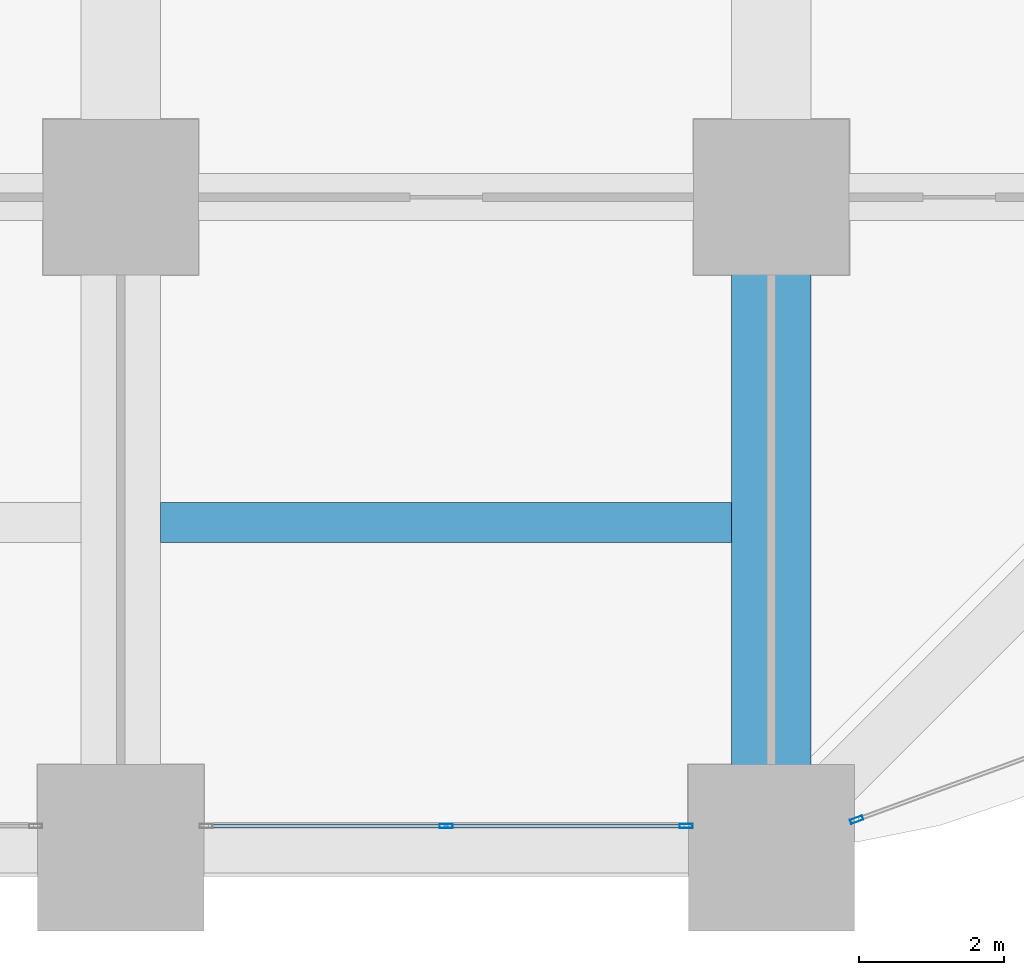
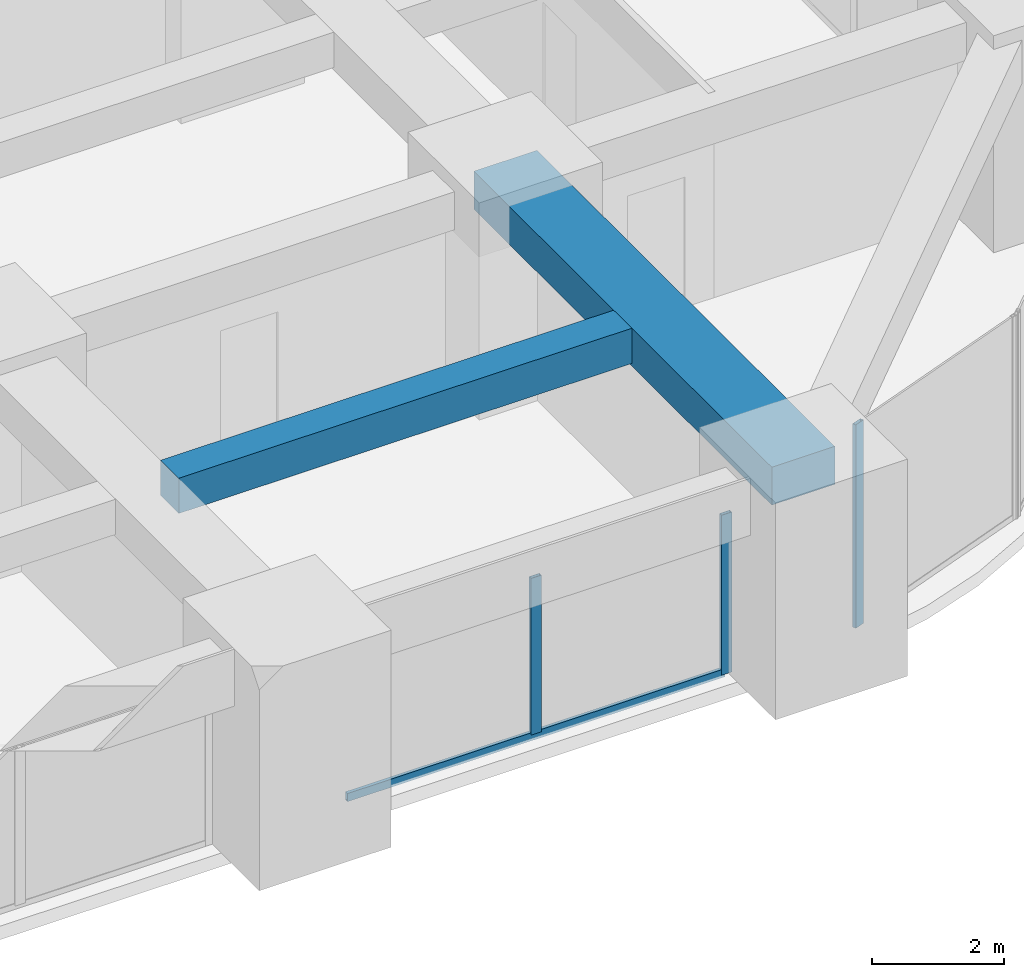
# One storey, part 15 of 44: 4 members, 2 beams, 2 elements without a shape of their own.
"""IFC4 building model written with IfcOpenShell, lengths in metres."""

from ifc_helpers import new_model, si_unit, direction, frame, origin, origin_2d, place, context, subcontext, project, spatial, rectangle, hollow_rectangle, extrude, material, material_profile, profile_set, type_object, element, aggregate, save


model = new_model("IFC4")

# Units and contexts
model_context = context("Model", 3, precision=1e-05, world=origin(), true_north=direction((0.0, 1.0)))
body_context = subcontext(model_context, "Body", "Model", "MODEL_VIEW")
ifc_project = project(units=[si_unit("LENGTHUNIT", "METRE"), si_unit("AREAUNIT", "SQUARE_METRE"), si_unit("VOLUMEUNIT", "CUBIC_METRE"), si_unit("PLANEANGLEUNIT", "RADIAN"), si_unit("MASSUNIT", "GRAM", prefix="KILO")], contexts=[model_context])

# Site, building, storey
site_placement = place(None, origin())
site = spatial("IfcSite", under=ifc_project, at=site_placement, CompositionType="ELEMENT")
building_placement = place(site_placement, origin())
building = spatial("IfcBuilding", under=site, at=building_placement, Name="Zorevar Civic Tower", CompositionType="ELEMENT")
storey_placement = place(building_placement, frame((0.0, 0.0, 51.800048828125)))
storey = spatial("IfcBuildingStorey", under=building, at=storey_placement, Name="L12", CompositionType="ELEMENT", Elevation=51.800048828125)

# Beams
ifc_material_1 = material(Name="Concrete C50/60", Category="concrete")
ifc_material_profile_1 = material_profile(ifc_material_1, rectangle(XDim=1.10009765625, YDim=0.699951171875, at=origin_2d()), Name="RC 1100x700")
ifc_profile_set_1 = profile_set([ifc_material_profile_1], Name="Concrete C50/60")
beam_type_1 = type_object("IfcBeamType", Name="Beam RC 1100x700", PredefinedType="BEAM", material=ifc_profile_set_1)
beam_1_placement = place(storey_placement, frame((54.0, 0.0, 3.39990234375), z_axis=(0.0, 1.0, 0.0), x_axis=(-1.0, 0.0, 0.0)))
element("IfcBeam", 1, at=beam_1_placement, inside=storey, type_object=beam_type_1, Name="Girder L13", PredefinedType="BEAM", context=body_context, shape_type="SweptSolid", body=[
    extrude(rectangle(XDim=1.10009765625, YDim=0.699951171875, at=origin_2d()), origin(), (0.0, 0.0, 1.0), 9.0),
])
ifc_material_2 = material(Name="Concrete C50/60", Category="concrete")
ifc_material_profile_2 = material_profile(ifc_material_2, rectangle(XDim=0.550048828125, YDim=0.64990234375, at=origin_2d()), Name="RC 550x650")
ifc_profile_set_2 = profile_set([ifc_material_profile_2], Name="Concrete C50/60")
beam_type_2 = type_object("IfcBeamType", Name="Beam RC 550x650", PredefinedType="BEAM", material=ifc_profile_set_2)
beam_2_placement = place(storey_placement, frame((45.550048828125, 4.5, 3.425048828125), z_axis=(1.0, 0.0, 0.0), x_axis=(0.0, 1.0, 0.0)))
element("IfcBeam", 2, at=beam_2_placement, inside=storey, type_object=beam_type_2, Name="Secondary beam L13", PredefinedType="BEAM", context=body_context, shape_type="SweptSolid", body=[
    extrude(rectangle(XDim=0.550048828125, YDim=0.64990234375, at=origin_2d()), origin(), (0.0, 0.0, 1.0), 7.89990234375),
])

# Curtain wall, members
ifc_material_3 = material(Name="Dark grey solar-control glass in black aluminium frame", Category="aluminium")
curtain_wall_type = type_object("IfcCurtainWallType", Name="Curtain wall CW2 low zone", PredefinedType="NOTDEFINED", material=ifc_material_3)
curtain_wall_1_placement = place(storey_placement, origin())
curtain_wall_1 = element("IfcCurtainWall", 3, at=curtain_wall_1_placement, inside=storey, type_object=curtain_wall_type, Name="CW2 L12", PredefinedType="NOTDEFINED")
ifc_material_4 = material(Name="Aluminium, black anodised", Category="aluminium")
ifc_material_profile_3 = material_profile(ifc_material_4, hollow_rectangle(XDim=0.06005859375, YDim=0.179931640625, WallThickness=0.00390625, at=origin_2d()), Name="AL 180x60x4")
ifc_profile_set_3 = profile_set([ifc_material_profile_3], Name="Aluminium, black anodised")
member_type_1 = type_object("IfcMemberType", Name="CW2 mullion AL 180x60x4", PredefinedType="MULLION", material=ifc_profile_set_3)
member_1_placement = place(storey_placement, frame((49.5, 0.300048828125, 0.06005859375), z_axis=(0.0, 0.0, 1.0), x_axis=(0.0, 1.0, 0.0)))
member_1 = element("IfcMember", 4, at=member_1_placement, type_object=member_type_1, Name="CW2 mullion 2", PredefinedType="MULLION", context=body_context, shape_type="SweptSolid", body=[
    extrude(hollow_rectangle(XDim=0.06005859375, YDim=0.179931640625, WallThickness=0.00390625, at=origin_2d()), origin(), (0.0, 0.0, 1.0), 2.889892578125),
])
member_2_placement = place(storey_placement, frame((52.820068359375, 0.300048828125, 0.0), z_axis=(0.0, 0.0, 1.0), x_axis=(0.0, 1.0, 0.0)))
member_2 = element("IfcMember", 5, at=member_2_placement, type_object=member_type_1, Name="CW2 mullion 3", PredefinedType="MULLION", context=body_context, shape_type="SweptSolid", body=[
    extrude(hollow_rectangle(XDim=0.06005859375, YDim=0.179931640625, WallThickness=0.00390625, at=origin_2d()), origin(), (0.0, 0.0, 1.0), 2.949951171875),
])

# Curtain wall, member
curtain_wall_2_placement = place(storey_placement, origin())
curtain_wall_2 = element("IfcCurtainWall", 6, at=curtain_wall_2_placement, inside=storey, type_object=curtain_wall_type, Name="CW2 L12", PredefinedType="NOTDEFINED")
member_3_placement = place(storey_placement, frame((55.17822265625, 0.38671875, 0.0), z_axis=(0.0, 0.0, 1.0), x_axis=(-0.343060400701, 0.939313345732, 0.0)))
member_3 = element("IfcMember", 7, at=member_3_placement, type_object=member_type_1, Name="CW2 mullion 1", PredefinedType="MULLION", context=body_context, shape_type="SweptSolid", body=[
    extrude(hollow_rectangle(XDim=0.06005859375, YDim=0.179931640625, WallThickness=0.00390625, at=origin_2d()), origin(), (0.0, 0.0, 1.0), 3.75),
])
aggregate(curtain_wall_2, [member_3])

# Member
ifc_material_5 = material(Name="Aluminium, black anodised", Category="aluminium")
ifc_material_profile_4 = material_profile(ifc_material_5, hollow_rectangle(XDim=0.06005859375, YDim=0.14990234375, WallThickness=0.00390625, at=origin_2d()), Name="AL 150x60x4")
ifc_profile_set_4 = profile_set([ifc_material_profile_4], Name="Aluminium, black anodised")
member_type_2 = type_object("IfcMemberType", Name="CW2 transom AL 150x60x4", PredefinedType="USERDEFINED", material=ifc_profile_set_4)
member_4_placement = place(storey_placement, frame((46.2099609375, 0.300048828125, 0.030029296875), z_axis=(1.0, 0.0, 0.0), x_axis=(0.0, 1.0, 0.0)))
member_4 = element("IfcMember", 8, at=member_4_placement, type_object=member_type_2, Name="CW2 sill transom", ObjectType="TRANSOM", PredefinedType="USERDEFINED", context=body_context, shape_type="SweptSolid", body=[
    extrude(hollow_rectangle(XDim=0.06005859375, YDim=0.14990234375, WallThickness=0.00390625, at=origin_2d()), origin(), (0.0, 0.0, 1.0), 6.580078125),
])

aggregate(curtain_wall_1, [member_1, member_2, member_4])

save(model, "model.ifc")
